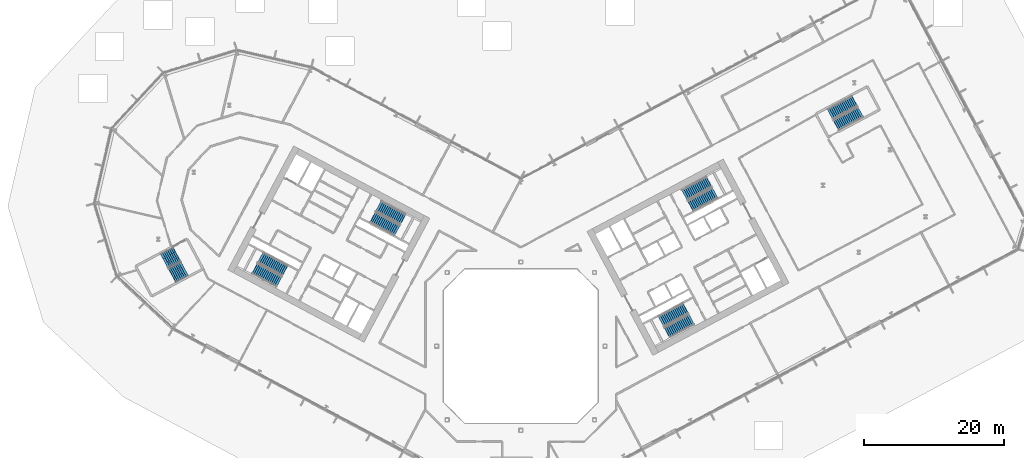
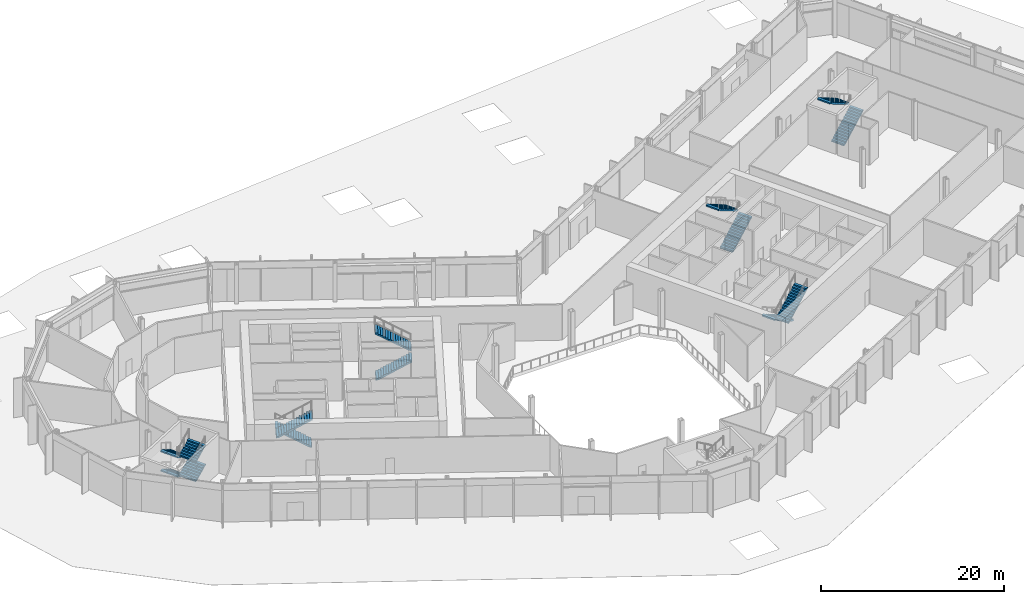
# One storey, part 18 of 30: 14 stair flights, 6 elements without a shape of their own.
"""IFC4 building model written with IfcOpenShell, lengths in metres."""

from ifc_helpers import new_model, si_unit, direction, frame, origin, place, context, subcontext, project, spatial, polyline, outline, extrude, material, type_object, element, aggregate, save


model = new_model("IFC4")

# Units and contexts
model_context = context("Model", 3, precision=1e-05, world=origin(), true_north=direction((0.0, 1.0)))
body_context = subcontext(model_context, "Body", "Model", "MODEL_VIEW")
ifc_project = project(units=[si_unit("LENGTHUNIT", "METRE"), si_unit("AREAUNIT", "SQUARE_METRE"), si_unit("VOLUMEUNIT", "CUBIC_METRE"), si_unit("PLANEANGLEUNIT", "RADIAN"), si_unit("MASSUNIT", "GRAM", prefix="KILO")], contexts=[model_context])

# Site, building, storey
site_placement = place(None, origin())
site = spatial("IfcSite", under=ifc_project, at=site_placement, CompositionType="ELEMENT")
building_placement = place(site_placement, origin())
building = spatial("IfcBuilding", under=site, at=building_placement, Name="Cormorant Relay Tower", CompositionType="ELEMENT")
storey_placement = place(building_placement, frame((0.0, 0.0, 7.0)))
storey = spatial("IfcBuildingStorey", under=building, at=storey_placement, Name="L01", CompositionType="ELEMENT", Elevation=7.0)

# Stair, stair flights
ifc_material_1 = material(Name="Concrete 40 MPa", Category="concrete")
stair_type_1 = type_object("IfcStairType", Name="Exit stair 1500", PredefinedType="HALF_TURN_STAIR", material=ifc_material_1)
stair_1_placement = place(storey_placement, origin())
stair_1 = element("IfcStair", 1, at=stair_1_placement, inside=storey, type_object=stair_type_1, Name="L01 Stair", PredefinedType="HALF_TURN_STAIR")
ifc_material_2 = material(Name="Concrete 40 MPa", Category="concrete")
stair_flight_type_1 = type_object("IfcStairFlightType", Name="Exit stair flight 1650", PredefinedType="STRAIGHT", material=ifc_material_2)
stair_flight_1_placement = place(storey_placement, frame((-21.114501953125, 18.33349609375, 0.0), z_axis=(0.0, 0.0, 1.0), x_axis=(0.882947592859, -0.469471562786, 0.0)))
stair_flight_1 = element("IfcStairFlight", 2, at=stair_flight_1_placement, type_object=stair_flight_type_1, Name="A1 flight 1", NumberOfRisers=15, NumberOfTreads=14, PredefinedType="STRAIGHT", RiserHeight=0.173333333, TreadLength=0.28, context=body_context, shape_type="SweptSolid", body=[
    extrude(outline(polyline([(-0.050048828125, -0.080078125), (-0.050048828125, 0.0), (0.0, 0.0), (0.0, 0.17333984375), (0.280029296875, 0.17333984375), (0.280029296875, 0.3466796875), (0.56005859375, 0.3466796875), (0.56005859375, 0.52001953125), (0.840087890625, 0.52001953125), (0.840087890625, 0.693359375), (1.1201171875, 0.693359375), (1.1201171875, 0.86669921875), (1.39990234375, 0.86669921875), (1.39990234375, 1.0400390625), (1.679931640625, 1.0400390625), (1.679931640625, 1.21337890625), (1.9599609375, 1.21337890625), (1.9599609375, 1.38671875), (2.239990234375, 1.38671875), (2.239990234375, 1.56005859375), (2.52001953125, 1.56005859375), (2.52001953125, 1.7333984375), (2.800048828125, 1.7333984375), (2.800048828125, 1.90673828125), (3.080078125, 1.90673828125), (3.080078125, 2.080078125), (3.360107421875, 2.080078125), (3.360107421875, 2.25341796875), (3.639892578125, 2.25341796875), (3.639892578125, 2.4267578125), (3.919921875, 2.4267578125), (3.969970703125, 2.4267578125), (3.969970703125, 2.250244140625), (3.919921875, 2.250244140625), (0.284912109375, 0.0), (-0.050048828125, -0.080078125)])), frame((0.0, 0.824951171875, 0.0), z_axis=(0.0, -1.0, 0.0), x_axis=(1.0, 0.0, 0.0)), (0.0, 0.0, 1.0), 1.64990234375),
])
stair_flight_2_placement = place(storey_placement, frame((-16.80810546875, 18.08251953125, 2.60009765625), z_axis=(0.0, 0.0, 1.0), x_axis=(-0.882947592859, 0.469471562786, 0.0)))
stair_flight_2 = element("IfcStairFlight", 3, at=stair_flight_2_placement, type_object=stair_flight_type_1, Name="A1 flight 2", NumberOfRisers=15, NumberOfTreads=14, PredefinedType="STRAIGHT", RiserHeight=0.173333333, TreadLength=0.28, context=body_context, shape_type="SweptSolid", body=[
    extrude(outline(polyline([(-0.050048828125, -0.080078125), (-0.050048828125, 0.0), (0.0, 0.0), (0.0, 0.17333984375), (0.280029296875, 0.17333984375), (0.280029296875, 0.3466796875), (0.56005859375, 0.3466796875), (0.56005859375, 0.52001953125), (0.840087890625, 0.52001953125), (0.840087890625, 0.693359375), (1.1201171875, 0.693359375), (1.1201171875, 0.86669921875), (1.39990234375, 0.86669921875), (1.39990234375, 1.0400390625), (1.679931640625, 1.0400390625), (1.679931640625, 1.21337890625), (1.9599609375, 1.21337890625), (1.9599609375, 1.38671875), (2.239990234375, 1.38671875), (2.239990234375, 1.56005859375), (2.52001953125, 1.56005859375), (2.52001953125, 1.7333984375), (2.800048828125, 1.7333984375), (2.800048828125, 1.90673828125), (3.080078125, 1.90673828125), (3.080078125, 2.080078125), (3.360107421875, 2.080078125), (3.360107421875, 2.25341796875), (3.639892578125, 2.25341796875), (3.639892578125, 2.4267578125), (3.919921875, 2.4267578125), (3.969970703125, 2.4267578125), (3.969970703125, 2.250244140625), (3.919921875, 2.250244140625), (0.284912109375, 0.0), (-0.050048828125, -0.080078125)])), frame((0.0, 0.824951171875, 0.0), z_axis=(0.0, -1.0, 0.0), x_axis=(1.0, 0.0, 0.0)), (0.0, 0.0, 1.0), 1.64990234375),
])
aggregate(stair_1, [stair_flight_1, stair_flight_2])

stair_2_placement = place(storey_placement, origin())
stair_2 = element("IfcStair", 4, at=stair_2_placement, inside=storey, type_object=stair_type_1, Name="L01 Stair", PredefinedType="HALF_TURN_STAIR")
stair_flight_3_placement = place(storey_placement, frame((-33.62841796875, 10.773681640625, 0.0), z_axis=(0.0, 0.0, 1.0), x_axis=(-0.882947592859, 0.469471562786, 0.0)))
stair_flight_3 = element("IfcStairFlight", 5, at=stair_flight_3_placement, type_object=stair_flight_type_1, Name="A2 flight 1", NumberOfRisers=15, NumberOfTreads=14, PredefinedType="STRAIGHT", RiserHeight=0.173333333, TreadLength=0.28, context=body_context, shape_type="SweptSolid", body=[
    extrude(outline(polyline([(-0.050048828125, -0.080078125), (-0.050048828125, 0.0), (0.0, 0.0), (0.0, 0.17333984375), (0.280029296875, 0.17333984375), (0.280029296875, 0.3466796875), (0.56005859375, 0.3466796875), (0.56005859375, 0.52001953125), (0.840087890625, 0.52001953125), (0.840087890625, 0.693359375), (1.1201171875, 0.693359375), (1.1201171875, 0.86669921875), (1.39990234375, 0.86669921875), (1.39990234375, 1.0400390625), (1.679931640625, 1.0400390625), (1.679931640625, 1.21337890625), (1.9599609375, 1.21337890625), (1.9599609375, 1.38671875), (2.239990234375, 1.38671875), (2.239990234375, 1.56005859375), (2.52001953125, 1.56005859375), (2.52001953125, 1.7333984375), (2.800048828125, 1.7333984375), (2.800048828125, 1.90673828125), (3.080078125, 1.90673828125), (3.080078125, 2.080078125), (3.360107421875, 2.080078125), (3.360107421875, 2.25341796875), (3.639892578125, 2.25341796875), (3.639892578125, 2.4267578125), (3.919921875, 2.4267578125), (3.969970703125, 2.4267578125), (3.969970703125, 2.250244140625), (3.919921875, 2.250244140625), (0.284912109375, 0.0), (-0.050048828125, -0.080078125)])), frame((0.0, 0.824951171875, 0.0), z_axis=(0.0, -1.0, 0.0), x_axis=(1.0, 0.0, 0.0)), (0.0, 0.0, 1.0), 1.64990234375),
])
stair_flight_4_placement = place(storey_placement, frame((-37.9345703125, 11.024658203125, 2.60009765625), z_axis=(0.0, 0.0, 1.0), x_axis=(0.882947592859, -0.469471562786, 0.0)))
stair_flight_4 = element("IfcStairFlight", 6, at=stair_flight_4_placement, type_object=stair_flight_type_1, Name="A2 flight 2", NumberOfRisers=15, NumberOfTreads=14, PredefinedType="STRAIGHT", RiserHeight=0.173333333, TreadLength=0.28, context=body_context, shape_type="SweptSolid", body=[
    extrude(outline(polyline([(-0.050048828125, -0.080078125), (-0.050048828125, 0.0), (0.0, 0.0), (0.0, 0.17333984375), (0.280029296875, 0.17333984375), (0.280029296875, 0.3466796875), (0.56005859375, 0.3466796875), (0.56005859375, 0.52001953125), (0.840087890625, 0.52001953125), (0.840087890625, 0.693359375), (1.1201171875, 0.693359375), (1.1201171875, 0.86669921875), (1.39990234375, 0.86669921875), (1.39990234375, 1.0400390625), (1.679931640625, 1.0400390625), (1.679931640625, 1.21337890625), (1.9599609375, 1.21337890625), (1.9599609375, 1.38671875), (2.239990234375, 1.38671875), (2.239990234375, 1.56005859375), (2.52001953125, 1.56005859375), (2.52001953125, 1.7333984375), (2.800048828125, 1.7333984375), (2.800048828125, 1.90673828125), (3.080078125, 1.90673828125), (3.080078125, 2.080078125), (3.360107421875, 2.080078125), (3.360107421875, 2.25341796875), (3.639892578125, 2.25341796875), (3.639892578125, 2.4267578125), (3.919921875, 2.4267578125), (3.969970703125, 2.4267578125), (3.969970703125, 2.250244140625), (3.919921875, 2.250244140625), (0.284912109375, 0.0), (-0.050048828125, -0.080078125)])), frame((0.0, 0.824951171875, 0.0), z_axis=(0.0, -1.0, 0.0), x_axis=(1.0, 0.0, 0.0)), (0.0, 0.0, 1.0), 1.64990234375),
])
aggregate(stair_2, [stair_flight_3, stair_flight_4])

stair_3_placement = place(storey_placement, origin())
stair_3 = element("IfcStair", 7, at=stair_3_placement, inside=storey, type_object=stair_type_1, Name="L01 Stair", PredefinedType="HALF_TURN_STAIR")
stair_flight_5_placement = place(storey_placement, frame((23.474365234375, 5.374755859375, 0.0), z_axis=(0.0, 0.0, 1.0), x_axis=(-0.882947592859, -0.469471562786, 0.0)))
stair_flight_5 = element("IfcStairFlight", 8, at=stair_flight_5_placement, type_object=stair_flight_type_1, Name="B1 flight 1", NumberOfRisers=15, NumberOfTreads=14, PredefinedType="STRAIGHT", RiserHeight=0.173333333, TreadLength=0.28, context=body_context, shape_type="SweptSolid", body=[
    extrude(outline(polyline([(-0.050048828125, -0.080078125), (-0.050048828125, 0.0), (0.0, 0.0), (0.0, 0.17333984375), (0.280029296875, 0.17333984375), (0.280029296875, 0.3466796875), (0.56005859375, 0.3466796875), (0.56005859375, 0.52001953125), (0.840087890625, 0.52001953125), (0.840087890625, 0.693359375), (1.1201171875, 0.693359375), (1.1201171875, 0.86669921875), (1.39990234375, 0.86669921875), (1.39990234375, 1.0400390625), (1.679931640625, 1.0400390625), (1.679931640625, 1.21337890625), (1.9599609375, 1.21337890625), (1.9599609375, 1.38671875), (2.239990234375, 1.38671875), (2.239990234375, 1.56005859375), (2.52001953125, 1.56005859375), (2.52001953125, 1.7333984375), (2.800048828125, 1.7333984375), (2.800048828125, 1.90673828125), (3.080078125, 1.90673828125), (3.080078125, 2.080078125), (3.360107421875, 2.080078125), (3.360107421875, 2.25341796875), (3.639892578125, 2.25341796875), (3.639892578125, 2.4267578125), (3.919921875, 2.4267578125), (3.969970703125, 2.4267578125), (3.969970703125, 2.250244140625), (3.919921875, 2.250244140625), (0.284912109375, 0.0), (-0.050048828125, -0.080078125)])), frame((0.0, 0.824951171875, 0.0), z_axis=(0.0, -1.0, 0.0), x_axis=(1.0, 0.0, 0.0)), (0.0, 0.0, 1.0), 1.64990234375),
])
stair_flight_6_placement = place(storey_placement, frame((20.8583984375, 1.945068359375, 2.60009765625), z_axis=(0.0, 0.0, 1.0), x_axis=(0.882947592859, 0.469471562786, 0.0)))
stair_flight_6 = element("IfcStairFlight", 9, at=stair_flight_6_placement, type_object=stair_flight_type_1, Name="B1 flight 2", NumberOfRisers=15, NumberOfTreads=14, PredefinedType="STRAIGHT", RiserHeight=0.173333333, TreadLength=0.28, context=body_context, shape_type="SweptSolid", body=[
    extrude(outline(polyline([(-0.050048828125, -0.080078125), (-0.050048828125, 0.0), (0.0, 0.0), (0.0, 0.17333984375), (0.280029296875, 0.17333984375), (0.280029296875, 0.3466796875), (0.56005859375, 0.3466796875), (0.56005859375, 0.52001953125), (0.840087890625, 0.52001953125), (0.840087890625, 0.693359375), (1.1201171875, 0.693359375), (1.1201171875, 0.86669921875), (1.39990234375, 0.86669921875), (1.39990234375, 1.0400390625), (1.679931640625, 1.0400390625), (1.679931640625, 1.21337890625), (1.9599609375, 1.21337890625), (1.9599609375, 1.38671875), (2.239990234375, 1.38671875), (2.239990234375, 1.56005859375), (2.52001953125, 1.56005859375), (2.52001953125, 1.7333984375), (2.800048828125, 1.7333984375), (2.800048828125, 1.90673828125), (3.080078125, 1.90673828125), (3.080078125, 2.080078125), (3.360107421875, 2.080078125), (3.360107421875, 2.25341796875), (3.639892578125, 2.25341796875), (3.639892578125, 2.4267578125), (3.919921875, 2.4267578125), (3.969970703125, 2.4267578125), (3.969970703125, 2.250244140625), (3.919921875, 2.250244140625), (0.284912109375, 0.0), (-0.050048828125, -0.080078125)])), frame((0.0, 0.824951171875, 0.0), z_axis=(0.0, -1.0, 0.0), x_axis=(1.0, 0.0, 0.0)), (0.0, 0.0, 1.0), 1.64990234375),
])
aggregate(stair_3, [stair_flight_5, stair_flight_6])

stair_4_placement = place(storey_placement, origin())
stair_4 = element("IfcStair", 10, at=stair_4_placement, inside=storey, type_object=stair_type_1, Name="L01 Stair", PredefinedType="HALF_TURN_STAIR")
stair_flight_7_placement = place(storey_placement, frame((24.20458984375, 19.976806640625, 0.0), z_axis=(0.0, 0.0, 1.0), x_axis=(0.882947592859, 0.469471562786, 0.0)))
stair_flight_7 = element("IfcStairFlight", 11, at=stair_flight_7_placement, type_object=stair_flight_type_1, Name="B2 flight 1", NumberOfRisers=15, NumberOfTreads=14, PredefinedType="STRAIGHT", RiserHeight=0.173333333, TreadLength=0.28, context=body_context, shape_type="SweptSolid", body=[
    extrude(outline(polyline([(-0.050048828125, -0.080078125), (-0.050048828125, 0.0), (0.0, 0.0), (0.0, 0.17333984375), (0.280029296875, 0.17333984375), (0.280029296875, 0.3466796875), (0.56005859375, 0.3466796875), (0.56005859375, 0.52001953125), (0.840087890625, 0.52001953125), (0.840087890625, 0.693359375), (1.1201171875, 0.693359375), (1.1201171875, 0.86669921875), (1.39990234375, 0.86669921875), (1.39990234375, 1.0400390625), (1.679931640625, 1.0400390625), (1.679931640625, 1.21337890625), (1.9599609375, 1.21337890625), (1.9599609375, 1.38671875), (2.239990234375, 1.38671875), (2.239990234375, 1.56005859375), (2.52001953125, 1.56005859375), (2.52001953125, 1.7333984375), (2.800048828125, 1.7333984375), (2.800048828125, 1.90673828125), (3.080078125, 1.90673828125), (3.080078125, 2.080078125), (3.360107421875, 2.080078125), (3.360107421875, 2.25341796875), (3.639892578125, 2.25341796875), (3.639892578125, 2.4267578125), (3.919921875, 2.4267578125), (3.969970703125, 2.4267578125), (3.969970703125, 2.250244140625), (3.919921875, 2.250244140625), (0.284912109375, 0.0), (-0.050048828125, -0.080078125)])), frame((0.0, 0.824951171875, 0.0), z_axis=(0.0, -1.0, 0.0), x_axis=(1.0, 0.0, 0.0)), (0.0, 0.0, 1.0), 1.64990234375),
])
stair_flight_8_placement = place(storey_placement, frame((26.82080078125, 23.406494140625, 2.60009765625), z_axis=(0.0, 0.0, 1.0), x_axis=(-0.882947592859, -0.469471562786, 0.0)))
stair_flight_8 = element("IfcStairFlight", 12, at=stair_flight_8_placement, type_object=stair_flight_type_1, Name="B2 flight 2", NumberOfRisers=15, NumberOfTreads=14, PredefinedType="STRAIGHT", RiserHeight=0.173333333, TreadLength=0.28, context=body_context, shape_type="SweptSolid", body=[
    extrude(outline(polyline([(-0.050048828125, -0.080078125), (-0.050048828125, 0.0), (0.0, 0.0), (0.0, 0.17333984375), (0.280029296875, 0.17333984375), (0.280029296875, 0.3466796875), (0.56005859375, 0.3466796875), (0.56005859375, 0.52001953125), (0.840087890625, 0.52001953125), (0.840087890625, 0.693359375), (1.1201171875, 0.693359375), (1.1201171875, 0.86669921875), (1.39990234375, 0.86669921875), (1.39990234375, 1.0400390625), (1.679931640625, 1.0400390625), (1.679931640625, 1.21337890625), (1.9599609375, 1.21337890625), (1.9599609375, 1.38671875), (2.239990234375, 1.38671875), (2.239990234375, 1.56005859375), (2.52001953125, 1.56005859375), (2.52001953125, 1.7333984375), (2.800048828125, 1.7333984375), (2.800048828125, 1.90673828125), (3.080078125, 1.90673828125), (3.080078125, 2.080078125), (3.360107421875, 2.080078125), (3.360107421875, 2.25341796875), (3.639892578125, 2.25341796875), (3.639892578125, 2.4267578125), (3.919921875, 2.4267578125), (3.969970703125, 2.4267578125), (3.969970703125, 2.250244140625), (3.919921875, 2.250244140625), (0.284912109375, 0.0), (-0.050048828125, -0.080078125)])), frame((0.0, 0.824951171875, 0.0), z_axis=(0.0, -1.0, 0.0), x_axis=(1.0, 0.0, 0.0)), (0.0, 0.0, 1.0), 1.64990234375),
])
aggregate(stair_4, [stair_flight_7, stair_flight_8])

stair_5_placement = place(storey_placement, origin())
stair_5 = element("IfcStair", 13, at=stair_5_placement, inside=storey, type_object=stair_type_1, Name="L01 Stair", PredefinedType="HALF_TURN_STAIR")
stair_flight_9_placement = place(storey_placement, frame((44.947509765625, 31.502197265625, 0.0), z_axis=(0.0, 0.0, 1.0), x_axis=(0.882947502727, 0.4694717323, 0.0)))
stair_flight_9 = element("IfcStairFlight", 14, at=stair_flight_9_placement, type_object=stair_flight_type_1, Name="RB1 flight 1", NumberOfRisers=15, NumberOfTreads=14, PredefinedType="STRAIGHT", RiserHeight=0.173333333, TreadLength=0.28, context=body_context, shape_type="SweptSolid", body=[
    extrude(outline(polyline([(-0.050048828125, -0.080078125), (-0.050048828125, 0.0), (0.0, 0.0), (0.0, 0.17333984375), (0.280029296875, 0.17333984375), (0.280029296875, 0.3466796875), (0.56005859375, 0.3466796875), (0.56005859375, 0.52001953125), (0.840087890625, 0.52001953125), (0.840087890625, 0.693359375), (1.1201171875, 0.693359375), (1.1201171875, 0.86669921875), (1.39990234375, 0.86669921875), (1.39990234375, 1.0400390625), (1.679931640625, 1.0400390625), (1.679931640625, 1.21337890625), (1.9599609375, 1.21337890625), (1.9599609375, 1.38671875), (2.239990234375, 1.38671875), (2.239990234375, 1.56005859375), (2.52001953125, 1.56005859375), (2.52001953125, 1.7333984375), (2.800048828125, 1.7333984375), (2.800048828125, 1.90673828125), (3.080078125, 1.90673828125), (3.080078125, 2.080078125), (3.360107421875, 2.080078125), (3.360107421875, 2.25341796875), (3.639892578125, 2.25341796875), (3.639892578125, 2.4267578125), (3.919921875, 2.4267578125), (3.969970703125, 2.4267578125), (3.969970703125, 2.250244140625), (3.919921875, 2.250244140625), (0.284912109375, 0.0), (-0.050048828125, -0.080078125)])), frame((0.0, 0.824951171875, 0.0), z_axis=(0.0, -1.0, 0.0), x_axis=(1.0, 0.0, 0.0)), (0.0, 0.0, 1.0), 1.64990234375),
])
stair_flight_10_placement = place(storey_placement, frame((47.563720703125, 34.931640625, 2.60009765625), z_axis=(0.0, 0.0, 1.0), x_axis=(-0.882947502727, -0.4694717323, 0.0)))
stair_flight_10 = element("IfcStairFlight", 15, at=stair_flight_10_placement, type_object=stair_flight_type_1, Name="RB1 flight 2", NumberOfRisers=15, NumberOfTreads=14, PredefinedType="STRAIGHT", RiserHeight=0.173333333, TreadLength=0.28, context=body_context, shape_type="SweptSolid", body=[
    extrude(outline(polyline([(-0.050048828125, -0.080078125), (-0.050048828125, 0.0), (0.0, 0.0), (0.0, 0.17333984375), (0.280029296875, 0.17333984375), (0.280029296875, 0.3466796875), (0.56005859375, 0.3466796875), (0.56005859375, 0.52001953125), (0.840087890625, 0.52001953125), (0.840087890625, 0.693359375), (1.1201171875, 0.693359375), (1.1201171875, 0.86669921875), (1.39990234375, 0.86669921875), (1.39990234375, 1.0400390625), (1.679931640625, 1.0400390625), (1.679931640625, 1.21337890625), (1.9599609375, 1.21337890625), (1.9599609375, 1.38671875), (2.239990234375, 1.38671875), (2.239990234375, 1.56005859375), (2.52001953125, 1.56005859375), (2.52001953125, 1.7333984375), (2.800048828125, 1.7333984375), (2.800048828125, 1.90673828125), (3.080078125, 1.90673828125), (3.080078125, 2.080078125), (3.360107421875, 2.080078125), (3.360107421875, 2.25341796875), (3.639892578125, 2.25341796875), (3.639892578125, 2.4267578125), (3.919921875, 2.4267578125), (3.969970703125, 2.4267578125), (3.969970703125, 2.250244140625), (3.919921875, 2.250244140625), (0.284912109375, 0.0), (-0.050048828125, -0.080078125)])), frame((0.0, 0.824951171875, 0.0), z_axis=(0.0, -1.0, 0.0), x_axis=(1.0, 0.0, 0.0)), (0.0, 0.0, 1.0), 1.64990234375),
])
aggregate(stair_5, [stair_flight_9, stair_flight_10])

ifc_material_3 = material(Name="Concrete 40 MPa", Category="concrete")
stair_type_2 = type_object("IfcStairType", Name="Remote exit stair 2200", PredefinedType="HALF_TURN_STAIR", material=ifc_material_3)
stair_6_placement = place(storey_placement, origin())
stair_6 = element("IfcStair", 16, at=stair_6_placement, inside=storey, type_object=stair_type_2, Name="L01 Stair", PredefinedType="HALF_TURN_STAIR")
ifc_material_4 = material(Name="Concrete 40 MPa", Category="concrete")
stair_flight_type_2 = type_object("IfcStairFlightType", Name="Remote exit stair flight 2200", PredefinedType="STRAIGHT", material=ifc_material_4)
stair_flight_11_placement = place(storey_placement, frame((-49.062255859375, 13.08251953125, 0.0), z_axis=(0.0, 0.0, 1.0), x_axis=(-0.882947502727, -0.4694717323, 0.0)))
stair_flight_11 = element("IfcStairFlight", 17, at=stair_flight_11_placement, type_object=stair_flight_type_2, Name="RP1 flight 1", NumberOfRisers=8, NumberOfTreads=7, PredefinedType="STRAIGHT", RiserHeight=0.1625, TreadLength=0.28, context=body_context, shape_type="SweptSolid", body=[
    extrude(outline(polyline([(-0.050048828125, -0.080078125), (-0.050048828125, 0.0), (0.0, 0.0), (0.0, 0.16259765625), (0.280029296875, 0.16259765625), (0.280029296875, 0.324951171875), (0.56005859375, 0.324951171875), (0.56005859375, 0.487548828125), (0.840087890625, 0.487548828125), (0.840087890625, 0.64990234375), (1.1201171875, 0.64990234375), (1.1201171875, 0.8125), (1.39990234375, 0.8125), (1.39990234375, 0.97509765625), (1.679931640625, 0.97509765625), (1.679931640625, 1.137451171875), (1.9599609375, 1.137451171875), (2.010009765625, 1.137451171875), (2.010009765625, 0.964111328125), (1.9599609375, 0.964111328125), (0.298583984375, 0.0), (-0.050048828125, -0.080078125)])), frame((0.0, 1.10009765625, 0.0), z_axis=(0.0, -1.0, 0.0), x_axis=(1.0, 0.0, 0.0)), (0.0, 0.0, 1.0), 0.719970703125),
    extrude(outline(polyline([(-0.050048828125, -0.080078125), (-0.050048828125, 0.0), (0.0, 0.0), (0.0, 0.16259765625), (0.280029296875, 0.16259765625), (0.280029296875, 0.324951171875), (0.56005859375, 0.324951171875), (0.56005859375, 0.487548828125), (0.840087890625, 0.487548828125), (0.840087890625, 0.64990234375), (1.1201171875, 0.64990234375), (1.1201171875, 0.8125), (1.39990234375, 0.8125), (1.39990234375, 0.97509765625), (1.679931640625, 0.97509765625), (1.679931640625, 1.137451171875), (1.9599609375, 1.137451171875), (2.010009765625, 1.137451171875), (2.010009765625, 0.964111328125), (1.9599609375, 0.964111328125), (0.298583984375, 0.0), (-0.050048828125, -0.080078125)])), frame((0.0, 0.360107421875, 0.0), z_axis=(0.0, -1.0, 0.0), x_axis=(1.0, 0.0, 0.0)), (0.0, 0.0, 1.0), 0.719970703125),
    extrude(outline(polyline([(-0.050048828125, -0.080078125), (-0.050048828125, 0.0), (0.0, 0.0), (0.0, 0.16259765625), (0.280029296875, 0.16259765625), (0.280029296875, 0.324951171875), (0.56005859375, 0.324951171875), (0.56005859375, 0.487548828125), (0.840087890625, 0.487548828125), (0.840087890625, 0.64990234375), (1.1201171875, 0.64990234375), (1.1201171875, 0.8125), (1.39990234375, 0.8125), (1.39990234375, 0.97509765625), (1.679931640625, 0.97509765625), (1.679931640625, 1.137451171875), (1.9599609375, 1.137451171875), (2.010009765625, 1.137451171875), (2.010009765625, 0.964111328125), (1.9599609375, 0.964111328125), (0.298583984375, 0.0), (-0.050048828125, -0.080078125)])), frame((0.0, -0.3798828125, 0.0), z_axis=(0.0, -1.0, 0.0), x_axis=(1.0, 0.0, 0.0)), (0.0, 0.0, 1.0), 0.719970703125),
])
stair_flight_12_placement = place(storey_placement, frame((-49.689697265625, 10.08740234375, 1.300048828125), z_axis=(0.0, 0.0, 1.0), x_axis=(0.882947502727, 0.4694717323, 0.0)))
stair_flight_12 = element("IfcStairFlight", 18, at=stair_flight_12_placement, type_object=stair_flight_type_2, Name="RP1 flight 2", NumberOfRisers=8, NumberOfTreads=7, PredefinedType="STRAIGHT", RiserHeight=0.1625, TreadLength=0.28, context=body_context, shape_type="SweptSolid", body=[
    extrude(outline(polyline([(-0.050048828125, -0.080078125), (-0.050048828125, 0.0), (0.0, 0.0), (0.0, 0.16259765625), (0.280029296875, 0.16259765625), (0.280029296875, 0.324951171875), (0.56005859375, 0.324951171875), (0.56005859375, 0.487548828125), (0.840087890625, 0.487548828125), (0.840087890625, 0.64990234375), (1.1201171875, 0.64990234375), (1.1201171875, 0.8125), (1.39990234375, 0.8125), (1.39990234375, 0.97509765625), (1.679931640625, 0.97509765625), (1.679931640625, 1.137451171875), (1.9599609375, 1.137451171875), (2.010009765625, 1.137451171875), (2.010009765625, 0.964111328125), (1.9599609375, 0.964111328125), (0.298583984375, 0.0), (-0.050048828125, -0.080078125)])), frame((0.0, 1.10009765625, 0.0), z_axis=(0.0, -1.0, 0.0), x_axis=(1.0, 0.0, 0.0)), (0.0, 0.0, 1.0), 0.719970703125),
    extrude(outline(polyline([(-0.050048828125, -0.080078125), (-0.050048828125, 0.0), (0.0, 0.0), (0.0, 0.16259765625), (0.280029296875, 0.16259765625), (0.280029296875, 0.324951171875), (0.56005859375, 0.324951171875), (0.56005859375, 0.487548828125), (0.840087890625, 0.487548828125), (0.840087890625, 0.64990234375), (1.1201171875, 0.64990234375), (1.1201171875, 0.8125), (1.39990234375, 0.8125), (1.39990234375, 0.97509765625), (1.679931640625, 0.97509765625), (1.679931640625, 1.137451171875), (1.9599609375, 1.137451171875), (2.010009765625, 1.137451171875), (2.010009765625, 0.964111328125), (1.9599609375, 0.964111328125), (0.298583984375, 0.0), (-0.050048828125, -0.080078125)])), frame((0.0, 0.360107421875, 0.0), z_axis=(0.0, -1.0, 0.0), x_axis=(1.0, 0.0, 0.0)), (0.0, 0.0, 1.0), 0.719970703125),
    extrude(outline(polyline([(-0.050048828125, -0.080078125), (-0.050048828125, 0.0), (0.0, 0.0), (0.0, 0.16259765625), (0.280029296875, 0.16259765625), (0.280029296875, 0.324951171875), (0.56005859375, 0.324951171875), (0.56005859375, 0.487548828125), (0.840087890625, 0.487548828125), (0.840087890625, 0.64990234375), (1.1201171875, 0.64990234375), (1.1201171875, 0.8125), (1.39990234375, 0.8125), (1.39990234375, 0.97509765625), (1.679931640625, 0.97509765625), (1.679931640625, 1.137451171875), (1.9599609375, 1.137451171875), (2.010009765625, 1.137451171875), (2.010009765625, 0.964111328125), (1.9599609375, 0.964111328125), (0.298583984375, 0.0), (-0.050048828125, -0.080078125)])), frame((0.0, -0.3798828125, 0.0), z_axis=(0.0, -1.0, 0.0), x_axis=(1.0, 0.0, 0.0)), (0.0, 0.0, 1.0), 0.719970703125),
])
stair_flight_13_placement = place(storey_placement, frame((-49.062255859375, 13.08251953125, 2.60009765625), z_axis=(0.0, 0.0, 1.0), x_axis=(-0.882947502727, -0.4694717323, 0.0)))
stair_flight_13 = element("IfcStairFlight", 19, at=stair_flight_13_placement, type_object=stair_flight_type_2, Name="RP1 flight 3", NumberOfRisers=8, NumberOfTreads=7, PredefinedType="STRAIGHT", RiserHeight=0.1625, TreadLength=0.28, context=body_context, shape_type="SweptSolid", body=[
    extrude(outline(polyline([(-0.050048828125, -0.080078125), (-0.050048828125, 0.0), (0.0, 0.0), (0.0, 0.16259765625), (0.280029296875, 0.16259765625), (0.280029296875, 0.324951171875), (0.56005859375, 0.324951171875), (0.56005859375, 0.487548828125), (0.840087890625, 0.487548828125), (0.840087890625, 0.64990234375), (1.1201171875, 0.64990234375), (1.1201171875, 0.8125), (1.39990234375, 0.8125), (1.39990234375, 0.97509765625), (1.679931640625, 0.97509765625), (1.679931640625, 1.137451171875), (1.9599609375, 1.137451171875), (2.010009765625, 1.137451171875), (2.010009765625, 0.964111328125), (1.9599609375, 0.964111328125), (0.298583984375, 0.0), (-0.050048828125, -0.080078125)])), frame((0.0, 1.10009765625, 0.0), z_axis=(0.0, -1.0, 0.0), x_axis=(1.0, 0.0, 0.0)), (0.0, 0.0, 1.0), 0.719970703125),
    extrude(outline(polyline([(-0.050048828125, -0.080078125), (-0.050048828125, 0.0), (0.0, 0.0), (0.0, 0.16259765625), (0.280029296875, 0.16259765625), (0.280029296875, 0.324951171875), (0.56005859375, 0.324951171875), (0.56005859375, 0.487548828125), (0.840087890625, 0.487548828125), (0.840087890625, 0.64990234375), (1.1201171875, 0.64990234375), (1.1201171875, 0.8125), (1.39990234375, 0.8125), (1.39990234375, 0.97509765625), (1.679931640625, 0.97509765625), (1.679931640625, 1.137451171875), (1.9599609375, 1.137451171875), (2.010009765625, 1.137451171875), (2.010009765625, 0.964111328125), (1.9599609375, 0.964111328125), (0.298583984375, 0.0), (-0.050048828125, -0.080078125)])), frame((0.0, 0.360107421875, 0.0), z_axis=(0.0, -1.0, 0.0), x_axis=(1.0, 0.0, 0.0)), (0.0, 0.0, 1.0), 0.719970703125),
    extrude(outline(polyline([(-0.050048828125, -0.080078125), (-0.050048828125, 0.0), (0.0, 0.0), (0.0, 0.16259765625), (0.280029296875, 0.16259765625), (0.280029296875, 0.324951171875), (0.56005859375, 0.324951171875), (0.56005859375, 0.487548828125), (0.840087890625, 0.487548828125), (0.840087890625, 0.64990234375), (1.1201171875, 0.64990234375), (1.1201171875, 0.8125), (1.39990234375, 0.8125), (1.39990234375, 0.97509765625), (1.679931640625, 0.97509765625), (1.679931640625, 1.137451171875), (1.9599609375, 1.137451171875), (2.010009765625, 1.137451171875), (2.010009765625, 0.964111328125), (1.9599609375, 0.964111328125), (0.298583984375, 0.0), (-0.050048828125, -0.080078125)])), frame((0.0, -0.3798828125, 0.0), z_axis=(0.0, -1.0, 0.0), x_axis=(1.0, 0.0, 0.0)), (0.0, 0.0, 1.0), 0.719970703125),
])
stair_flight_14_placement = place(storey_placement, frame((-49.689697265625, 10.08740234375, 3.89990234375), z_axis=(0.0, 0.0, 1.0), x_axis=(0.882947502727, 0.4694717323, 0.0)))
stair_flight_14 = element("IfcStairFlight", 20, at=stair_flight_14_placement, type_object=stair_flight_type_2, Name="RP1 flight 4", NumberOfRisers=8, NumberOfTreads=7, PredefinedType="STRAIGHT", RiserHeight=0.1625, TreadLength=0.28, context=body_context, shape_type="SweptSolid", body=[
    extrude(outline(polyline([(-0.050048828125, -0.080078125), (-0.050048828125, 0.0), (0.0, 0.0), (0.0, 0.16259765625), (0.280029296875, 0.16259765625), (0.280029296875, 0.324951171875), (0.56005859375, 0.324951171875), (0.56005859375, 0.487548828125), (0.840087890625, 0.487548828125), (0.840087890625, 0.64990234375), (1.1201171875, 0.64990234375), (1.1201171875, 0.8125), (1.39990234375, 0.8125), (1.39990234375, 0.97509765625), (1.679931640625, 0.97509765625), (1.679931640625, 1.137451171875), (1.9599609375, 1.137451171875), (2.010009765625, 1.137451171875), (2.010009765625, 0.964111328125), (1.9599609375, 0.964111328125), (0.298583984375, 0.0), (-0.050048828125, -0.080078125)])), frame((0.0, 1.10009765625, 0.0), z_axis=(0.0, -1.0, 0.0), x_axis=(1.0, 0.0, 0.0)), (0.0, 0.0, 1.0), 0.719970703125),
    extrude(outline(polyline([(-0.050048828125, -0.080078125), (-0.050048828125, 0.0), (0.0, 0.0), (0.0, 0.16259765625), (0.280029296875, 0.16259765625), (0.280029296875, 0.324951171875), (0.56005859375, 0.324951171875), (0.56005859375, 0.487548828125), (0.840087890625, 0.487548828125), (0.840087890625, 0.64990234375), (1.1201171875, 0.64990234375), (1.1201171875, 0.8125), (1.39990234375, 0.8125), (1.39990234375, 0.97509765625), (1.679931640625, 0.97509765625), (1.679931640625, 1.137451171875), (1.9599609375, 1.137451171875), (2.010009765625, 1.137451171875), (2.010009765625, 0.964111328125), (1.9599609375, 0.964111328125), (0.298583984375, 0.0), (-0.050048828125, -0.080078125)])), frame((0.0, 0.360107421875, 0.0), z_axis=(0.0, -1.0, 0.0), x_axis=(1.0, 0.0, 0.0)), (0.0, 0.0, 1.0), 0.719970703125),
    extrude(outline(polyline([(-0.050048828125, -0.080078125), (-0.050048828125, 0.0), (0.0, 0.0), (0.0, 0.16259765625), (0.280029296875, 0.16259765625), (0.280029296875, 0.324951171875), (0.56005859375, 0.324951171875), (0.56005859375, 0.487548828125), (0.840087890625, 0.487548828125), (0.840087890625, 0.64990234375), (1.1201171875, 0.64990234375), (1.1201171875, 0.8125), (1.39990234375, 0.8125), (1.39990234375, 0.97509765625), (1.679931640625, 0.97509765625), (1.679931640625, 1.137451171875), (1.9599609375, 1.137451171875), (2.010009765625, 1.137451171875), (2.010009765625, 0.964111328125), (1.9599609375, 0.964111328125), (0.298583984375, 0.0), (-0.050048828125, -0.080078125)])), frame((0.0, -0.3798828125, 0.0), z_axis=(0.0, -1.0, 0.0), x_axis=(1.0, 0.0, 0.0)), (0.0, 0.0, 1.0), 0.719970703125),
])
aggregate(stair_6, [stair_flight_11, stair_flight_12, stair_flight_13, stair_flight_14])

save(model, "model.ifc")
